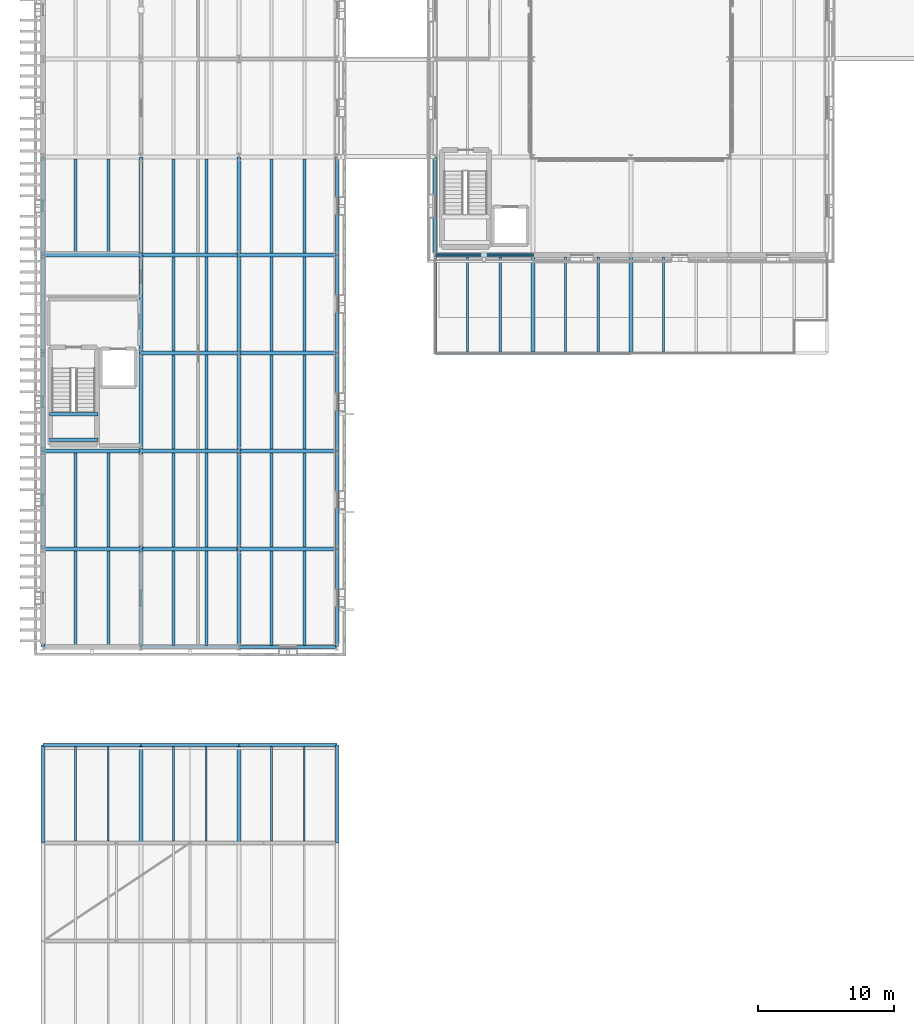
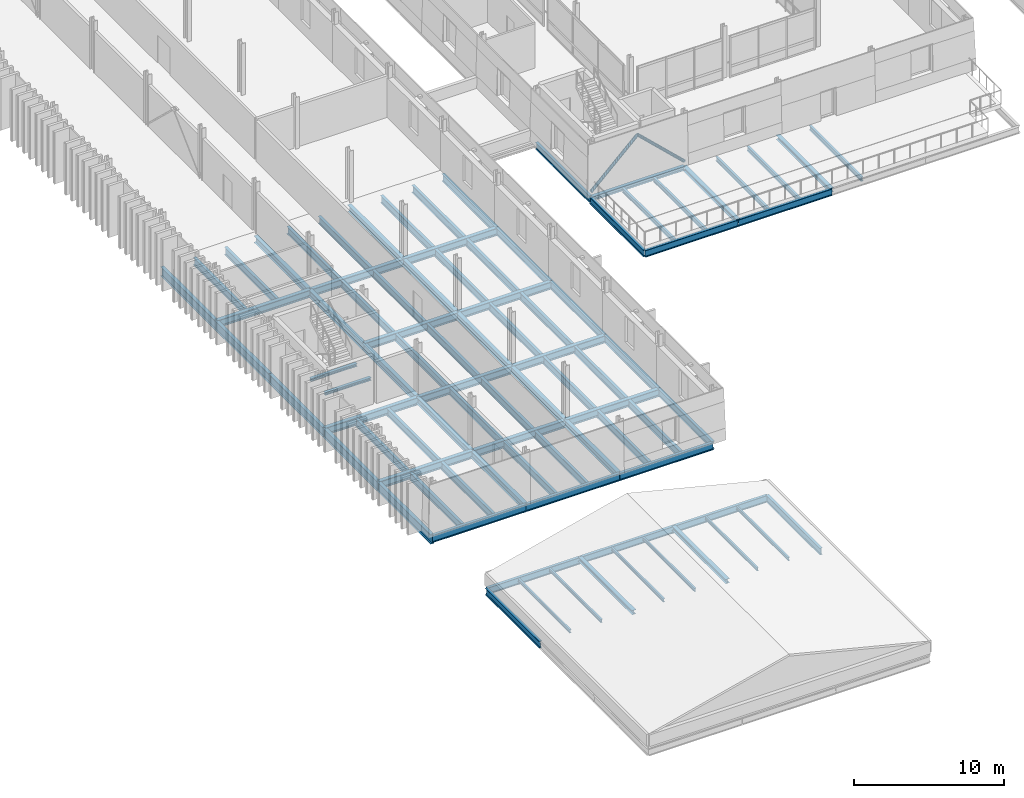
# One storey, part 14 of 91: 87 beams, 2 members.
"""IFC4 building model written with IfcOpenShell, lengths in metres."""

import ifcopenshell
import ifcopenshell.guid

model = None  # the IFC model being written
_history = None  # IfcOwnerHistory: only IFC2X3 demands one
_inside = {}  # id of a spatial element -> (the spatial element, [elements in it])
_under = {}  # id of a project, library or spatial element -> (it, [spatial elements below it])
_declared = {}  # id of a project -> (the project, [libraries it declares])
_typed = {}  # id of a type object -> (the type object, [elements of that type])
_made_of = {}  # id of a material, layer set ... -> (it, [elements and type objects made of it])


def new_model(schema):
    """Start an empty IFC model of exactly this schema.

    Asked for "IFC4X3", IfcOpenShell would pick the latest addendum, in which some entities
    have other attributes; the version numbers below select the first issue.
    IFC2X3 requires an IfcOwnerHistory on every rooted entity: one is made here for all.
    """
    global model, _history
    if schema == "IFC4X3":
        model = ifcopenshell.file(schema_version=(4, 3, 0, 0))
    else:
        model = ifcopenshell.file(schema=schema)
    _inside.clear()
    _under.clear()
    _declared.clear()
    _typed.clear()
    _made_of.clear()
    _history = None
    if model.schema == "IFC2X3":
        org = make("IfcOrganization", Name="unknown")
        user = make(
            "IfcPersonAndOrganization",
            ThePerson=make("IfcPerson", FamilyName="unknown"),
            TheOrganization=org,
        )
        app = make(
            "IfcApplication",
            ApplicationDeveloper=org,
            Version="unknown",
            ApplicationFullName="unknown",
            ApplicationIdentifier="unknown",
        )
        _history = make(
            "IfcOwnerHistory",
            OwningUser=user,
            OwningApplication=app,
            ChangeAction="ADDED",
            CreationDate=0,
        )
    return model


def make(cls, **values):
    """One entity of the class cls with the attributes given. An attribute that is None is left unset."""
    return model.create_entity(
        cls, **{name: value for name, value in values.items() if value is not None}
    )


def rooted(cls, **values):
    """An entity with a GlobalId (a new one), such as an element, a storey or a relation."""
    return make(cls, GlobalId=ifcopenshell.guid.new(), OwnerHistory=_history, **values)


def si_unit(unit_type, name, prefix=None):
    """IfcSIUnit, for example si_unit("LENGTHUNIT", "METRE", prefix="MILLI")."""
    return make("IfcSIUnit", UnitType=unit_type, Prefix=prefix, Name=name)


def assignment(units):
    """IfcUnitAssignment: the units of a project."""
    return None if units is None else make("IfcUnitAssignment", Units=units)


def point(xyz):
    """IfcCartesianPoint."""
    return None if xyz is None else make("IfcCartesianPoint", Coordinates=xyz)


def direction(xyz):
    """IfcDirection."""
    return None if xyz is None else make("IfcDirection", DirectionRatios=xyz)


def frame(location, z_axis=None, x_axis=None):
    """IfcAxis2Placement3D, a coordinate frame: its origin and axes. An axis left out is left unset."""
    return make(
        "IfcAxis2Placement3D",
        Location=point(location),
        Axis=direction(z_axis),
        RefDirection=direction(x_axis),
    )


def frame_2d(location, x_axis=None):
    """IfcAxis2Placement2D, a coordinate frame in the plane: its origin and x axis."""
    return make(
        "IfcAxis2Placement2D", Location=point(location), RefDirection=direction(x_axis)
    )


def origin():
    """The frame at (0, 0, 0) with its axes left unset."""
    return frame((0.0, 0.0, 0.0))


def origin_2d():
    """The frame at (0, 0) in the plane with its x axis left unset."""
    return frame_2d((0.0, 0.0))


def place(relative_to, where):
    """IfcLocalPlacement: puts the frame where relative to a parent placement (None: the world)."""
    return make(
        "IfcLocalPlacement", PlacementRelTo=relative_to, RelativePlacement=where
    )


def context(
    kind, dimensions, precision=None, world=None, true_north=None, identifier=None
):
    """IfcGeometricRepresentationContext, for example the 3D "Model" context."""
    return make(
        "IfcGeometricRepresentationContext",
        ContextIdentifier=identifier,
        ContextType=kind,
        CoordinateSpaceDimension=dimensions,
        Precision=precision,
        WorldCoordinateSystem=world,
        TrueNorth=true_north,
    )


def subcontext(parent, identifier, kind, view, scale=None):
    """IfcGeometricRepresentationSubContext, for example "Body" below "Model"."""
    return make(
        "IfcGeometricRepresentationSubContext",
        ContextIdentifier=identifier,
        ContextType=kind,
        ParentContext=parent,
        TargetScale=scale,
        TargetView=view,
    )


def project(units=None, contexts=None):
    """IfcProject with its units and contexts."""
    return rooted(
        "IfcProject",
        Name="project",
        RepresentationContexts=contexts,
        UnitsInContext=assignment(units),
    )


def spatial(cls, under=None, at=None, **own):
    """A site, building, storey or space (cls), placed at a placement, below another one or the project."""
    s = rooted(cls, ObjectPlacement=at, **own)
    if under is not None:
        _under.setdefault(under.id(), (under, []))[1].append(s)
    return s


def profile(cls, at=None, kind="AREA", **sizes):
    """A parametric profile (cls). Its sizes go by their IFC names, for example OverallWidth=200.0."""
    return make(cls, ProfileType=kind, Position=at, **sizes)


def hollow_circle(**sizes):
    """IfcCircleHollowProfileDef."""
    return profile("IfcCircleHollowProfileDef", **sizes)


def i_section(**sizes):
    """IfcIShapeProfileDef."""
    return profile("IfcIShapeProfileDef", **sizes)


def extrude(swept, where, along, depth):
    """IfcExtrudedAreaSolid: the profile swept, set in the frame where, extruded along a direction by depth."""
    return make(
        "IfcExtrudedAreaSolid",
        SweptArea=swept,
        Position=where,
        ExtrudedDirection=direction(along),
        Depth=depth,
    )


def shape(context_of_items, identifier, shape_type, items):
    """IfcShapeRepresentation: the items that make up one representation, for example the "Body"."""
    return make(
        "IfcShapeRepresentation",
        ContextOfItems=context_of_items,
        RepresentationIdentifier=identifier,
        RepresentationType=shape_type,
        Items=items,
    )


def material(Name=None, Category=None):
    """IfcMaterial."""
    return make("IfcMaterial", Name=Name, Category=Category)


def material_profile(
    of_material, cross_section, Name=None, Category=None, Priority=None
):
    """IfcMaterialProfile: a cross section and its material."""
    return make(
        "IfcMaterialProfile",
        Name=Name,
        Material=of_material,
        Profile=cross_section,
        Priority=Priority,
        Category=Category,
    )


def profile_set(profiles, Name=None, composite=None):
    """IfcMaterialProfileSet."""
    return make(
        "IfcMaterialProfileSet",
        Name=Name,
        MaterialProfiles=profiles,
        CompositeProfile=composite,
    )


def made_of(thing, what):
    """Note that an element or type object is made of a material, layer set ...; save() writes the relation."""
    if what is not None:
        _made_of.setdefault(what.id(), (what, []))[1].append(thing)
    return thing


def type_object(cls, material=None, **own):
    """A type object (cls), such as IfcWallType, which elements share."""
    return made_of(rooted(cls, **own), material)


def element(
    cls,
    number,
    at=None,
    inside=None,
    cuts=None,
    type_object=None,
    material=None,
    context=None,
    identifier="Body",
    shape_type=None,
    held_by="IfcProductDefinitionShape",
    body=None,
    shapes=None,
    **own,
):
    """One element of the class cls, such as IfcWall. Its Tag is "e" and its number.

    at: its placement. inside: the storey or other place that contains it. cuts: it is an
    opening in that element (IfcRelVoidsElement). A single representation is given by context,
    identifier, shape_type and body (its items); several are given by shapes. held_by: the class
    of the entity that holds the representations. save() writes the other relations.
    """
    e = rooted(cls, Tag="e%d" % number, ObjectPlacement=at, **own)
    if body is not None:
        shapes = [shape(context, identifier, shape_type, body)]
    if shapes is not None:
        e.Representation = make(held_by, Representations=shapes)
    if inside is not None:
        _inside.setdefault(inside.id(), (inside, []))[1].append(e)
    if cuts is not None:
        rooted(
            "IfcRelVoidsElement", RelatingBuildingElement=cuts, RelatedOpeningElement=e
        )
    if type_object is not None:
        _typed.setdefault(type_object.id(), (type_object, []))[1].append(e)
    return made_of(e, material)


def aggregate(whole, parts):
    """IfcRelAggregates: a whole, such as a stair, and the parts it consists of."""
    return rooted("IfcRelAggregates", RelatingObject=whole, RelatedObjects=parts)


def save(model, path):
    """Write the relations noted so far, then the file.

    IfcRelAggregates (storeys below a building ...), IfcRelContainedInSpatialStructure (elements
    in a storey), IfcRelDefinesByType, IfcRelAssociatesMaterial and IfcRelDeclares: one each for
    every whole, place, type object, material and project.
    """
    for whole, parts in _under.values():
        aggregate(whole, parts)
    for where, things in _inside.values():
        rooted(
            "IfcRelContainedInSpatialStructure",
            RelatedElements=things,
            RelatingStructure=where,
        )
    for kind, things in _typed.values():
        rooted("IfcRelDefinesByType", RelatedObjects=things, RelatingType=kind)
    for what, things in _made_of.values():
        rooted("IfcRelAssociatesMaterial", RelatedObjects=things, RelatingMaterial=what)
    for by, libraries in _declared.values():
        rooted("IfcRelDeclares", RelatingContext=by, RelatedDefinitions=libraries)
    model.write(path)


model = new_model("IFC4")

# Units and contexts
model_context = context("Model", 3, precision=1e-05, world=origin(), true_north=direction((0.0, 1.0)))
body_context = subcontext(model_context, "Body", "Model", "MODEL_VIEW")
ifc_project = project(units=[si_unit("LENGTHUNIT", "METRE"), si_unit("AREAUNIT", "SQUARE_METRE"), si_unit("VOLUMEUNIT", "CUBIC_METRE"), si_unit("PLANEANGLEUNIT", "RADIAN"), si_unit("MASSUNIT", "GRAM", prefix="KILO")], contexts=[model_context])

# Site, building, storey
site_placement = place(None, origin())
site = spatial("IfcSite", under=ifc_project, at=site_placement, CompositionType="ELEMENT")
building_placement = place(site_placement, origin())
building = spatial("IfcBuilding", under=site, at=building_placement, Name="Narikvali Park Central Library", CompositionType="ELEMENT")
storey_placement = place(building_placement, frame((0.0, 0.0, 14.39990234375)))
storey = spatial("IfcBuildingStorey", under=building, at=storey_placement, Name="L03", CompositionType="ELEMENT", Elevation=14.39990234375)

# Beams
ifc_material = material(Name="Steel S355", Category="steel")
ifc_material_profile_1 = material_profile(ifc_material, i_section(OverallWidth=0.219970703125, OverallDepth=0.60009765625, WebThickness=0.011962890625, FlangeThickness=0.01904296875, FilletRadius=0.02392578125, at=origin_2d()), Name="IPE 600")
ifc_profile_set_1 = profile_set([ifc_material_profile_1], Name="Steel S355")
beam_type_1 = type_object("IfcBeamType", Name="Compact Archive Joist IPE600", PredefinedType="JOIST", material=ifc_profile_set_1)
for number, where, z_axis, x_axis, name in (
    (1, (2.39990234375, 28.909912109375, -0.599853515625), (0.0, 1.0, 0.0), (-1.0, 0.0, 0.0), "V5 L03 Composite Joist 1"),
    (2, (4.800048828125, 28.909912109375, -0.599853515625), (0.0, 1.0, 0.0), (-1.0, 0.0, 0.0), "V5 L03 Composite Joist 2"),
):
    element("IfcBeam", number, at=place(storey_placement, frame(where, z_axis=z_axis, x_axis=x_axis)), inside=storey, type_object=beam_type_1, Name=name, PredefinedType="JOIST", context=body_context, shape_type="SweptSolid", body=[
        extrude(i_section(OverallWidth=0.219970703125, OverallDepth=0.60009765625, WebThickness=0.011962890625, FlangeThickness=0.01904296875, FilletRadius=0.02392578125, at=origin_2d()), origin(), (0.0, 0.0, 1.0), 6.940185546875),
    ])
for number, where, z_axis, x_axis, name in (
    (3, (2.39990234375, 36.14990234375, -0.599853515625), (0.0, 1.0, 0.0), (-1.0, 0.0, 0.0), "V5 L03 Composite Joist 1"),
    (4, (4.800048828125, 36.14990234375, -0.599853515625), (0.0, 1.0, 0.0), (-1.0, 0.0, 0.0), "V5 L03 Composite Joist 2"),
):
    element("IfcBeam", number, at=place(storey_placement, frame(where, z_axis=z_axis, x_axis=x_axis)), inside=storey, type_object=beam_type_1, Name=name, PredefinedType="JOIST", context=body_context, shape_type="SweptSolid", body=[
        extrude(i_section(OverallWidth=0.219970703125, OverallDepth=0.60009765625, WebThickness=0.011962890625, FlangeThickness=0.01904296875, FilletRadius=0.02392578125, at=origin_2d()), origin(), (0.0, 0.0, 1.0), 6.900146484375),
    ])
for number, where, z_axis, x_axis, name in (
    (5, (2.39990234375, 57.75, -0.599853515625), (0.0, 1.0, 0.0), (-1.0, 0.0, 0.0), "V5 L03 Composite Joist 1"),
    (6, (4.800048828125, 57.75, -0.599853515625), (0.0, 1.0, 0.0), (-1.0, 0.0, 0.0), "V5 L03 Composite Joist 2"),
):
    element("IfcBeam", number, at=place(storey_placement, frame(where, z_axis=z_axis, x_axis=x_axis)), inside=storey, type_object=beam_type_1, Name=name, PredefinedType="JOIST", context=body_context, shape_type="SweptSolid", body=[
        extrude(i_section(OverallWidth=0.219970703125, OverallDepth=0.60009765625, WebThickness=0.011962890625, FlangeThickness=0.01904296875, FilletRadius=0.02392578125, at=origin_2d()), origin(), (0.0, 0.0, 1.0), 6.89990234375),
    ])
for number, where, z_axis, x_axis, name in (
    (7, (9.60009765625, 28.909912109375, -0.599853515625), (0.0, 1.0, 0.0), (-1.0, 0.0, 0.0), "V5 L03 Composite Joist 1"),
    (8, (12.0, 28.909912109375, -0.599853515625), (0.0, 1.0, 0.0), (-1.0, 0.0, 0.0), "V5 L03 Composite Joist 2"),
):
    element("IfcBeam", number, at=place(storey_placement, frame(where, z_axis=z_axis, x_axis=x_axis)), inside=storey, type_object=beam_type_1, Name=name, PredefinedType="JOIST", context=body_context, shape_type="SweptSolid", body=[
        extrude(i_section(OverallWidth=0.219970703125, OverallDepth=0.60009765625, WebThickness=0.011962890625, FlangeThickness=0.01904296875, FilletRadius=0.02392578125, at=origin_2d()), origin(), (0.0, 0.0, 1.0), 6.940185546875),
    ])
for number, where, z_axis, x_axis, name in (
    (9, (9.60009765625, 36.14990234375, -0.599853515625), (0.0, 1.0, 0.0), (-1.0, 0.0, 0.0), "V5 L03 Composite Joist 1"),
    (10, (12.0, 36.14990234375, -0.599853515625), (0.0, 1.0, 0.0), (-1.0, 0.0, 0.0), "V5 L03 Composite Joist 2"),
):
    element("IfcBeam", number, at=place(storey_placement, frame(where, z_axis=z_axis, x_axis=x_axis)), inside=storey, type_object=beam_type_1, Name=name, PredefinedType="JOIST", context=body_context, shape_type="SweptSolid", body=[
        extrude(i_section(OverallWidth=0.219970703125, OverallDepth=0.60009765625, WebThickness=0.011962890625, FlangeThickness=0.01904296875, FilletRadius=0.02392578125, at=origin_2d()), origin(), (0.0, 0.0, 1.0), 6.900146484375),
    ])
for number, where, z_axis, x_axis, name in (
    (11, (9.60009765625, 43.35009765625, -0.599853515625), (0.0, 1.0, 0.0), (-1.0, 0.0, 0.0), "V5 L03 Composite Joist 1"),
    (12, (12.0, 43.35009765625, -0.599853515625), (0.0, 1.0, 0.0), (-1.0, 0.0, 0.0), "V5 L03 Composite Joist 2"),
    (13, (9.60009765625, 50.550048828125, -0.599853515625), (0.0, 1.0, 0.0), (-1.0, 0.0, 0.0), "V5 L03 Composite Joist 1"),
    (14, (12.0, 50.550048828125, -0.599853515625), (0.0, 1.0, 0.0), (-1.0, 0.0, 0.0), "V5 L03 Composite Joist 2"),
    (15, (9.60009765625, 57.75, -0.599853515625), (0.0, 1.0, 0.0), (-1.0, 0.0, 0.0), "V5 L03 Composite Joist 1"),
    (16, (12.0, 57.75, -0.599853515625), (0.0, 1.0, 0.0), (-1.0, 0.0, 0.0), "V5 L03 Composite Joist 2"),
):
    element("IfcBeam", number, at=place(storey_placement, frame(where, z_axis=z_axis, x_axis=x_axis)), inside=storey, type_object=beam_type_1, Name=name, PredefinedType="JOIST", context=body_context, shape_type="SweptSolid", body=[
        extrude(i_section(OverallWidth=0.219970703125, OverallDepth=0.60009765625, WebThickness=0.011962890625, FlangeThickness=0.01904296875, FilletRadius=0.02392578125, at=origin_2d()), origin(), (0.0, 0.0, 1.0), 6.89990234375),
    ])
for number, where, z_axis, x_axis, name in (
    (17, (16.800048828125, 28.909912109375, -0.599853515625), (0.0, 1.0, 0.0), (-1.0, 0.0, 0.0), "V5 L03 Composite Joist 1"),
    (18, (19.199951171875, 28.909912109375, -0.599853515625), (0.0, 1.0, 0.0), (-1.0, 0.0, 0.0), "V5 L03 Composite Joist 2"),
):
    element("IfcBeam", number, at=place(storey_placement, frame(where, z_axis=z_axis, x_axis=x_axis)), inside=storey, type_object=beam_type_1, Name=name, PredefinedType="JOIST", context=body_context, shape_type="SweptSolid", body=[
        extrude(i_section(OverallWidth=0.219970703125, OverallDepth=0.60009765625, WebThickness=0.011962890625, FlangeThickness=0.01904296875, FilletRadius=0.02392578125, at=origin_2d()), origin(), (0.0, 0.0, 1.0), 6.940185546875),
    ])
for number, where, z_axis, x_axis, name in (
    (19, (16.800048828125, 36.14990234375, -0.599853515625), (0.0, 1.0, 0.0), (-1.0, 0.0, 0.0), "V5 L03 Composite Joist 1"),
    (20, (19.199951171875, 36.14990234375, -0.599853515625), (0.0, 1.0, 0.0), (-1.0, 0.0, 0.0), "V5 L03 Composite Joist 2"),
):
    element("IfcBeam", number, at=place(storey_placement, frame(where, z_axis=z_axis, x_axis=x_axis)), inside=storey, type_object=beam_type_1, Name=name, PredefinedType="JOIST", context=body_context, shape_type="SweptSolid", body=[
        extrude(i_section(OverallWidth=0.219970703125, OverallDepth=0.60009765625, WebThickness=0.011962890625, FlangeThickness=0.01904296875, FilletRadius=0.02392578125, at=origin_2d()), origin(), (0.0, 0.0, 1.0), 6.900146484375),
    ])
for number, where, z_axis, x_axis, name in (
    (21, (16.800048828125, 43.35009765625, -0.599853515625), (0.0, 1.0, 0.0), (-1.0, 0.0, 0.0), "V5 L03 Composite Joist 1"),
    (22, (19.199951171875, 43.35009765625, -0.599853515625), (0.0, 1.0, 0.0), (-1.0, 0.0, 0.0), "V5 L03 Composite Joist 2"),
    (23, (16.800048828125, 50.550048828125, -0.599853515625), (0.0, 1.0, 0.0), (-1.0, 0.0, 0.0), "V5 L03 Composite Joist 1"),
    (24, (19.199951171875, 50.550048828125, -0.599853515625), (0.0, 1.0, 0.0), (-1.0, 0.0, 0.0), "V5 L03 Composite Joist 2"),
    (25, (16.800048828125, 57.75, -0.599853515625), (0.0, 1.0, 0.0), (-1.0, 0.0, 0.0), "V5 L03 Composite Joist 1"),
    (26, (19.199951171875, 57.75, -0.599853515625), (0.0, 1.0, 0.0), (-1.0, 0.0, 0.0), "V5 L03 Composite Joist 2"),
):
    element("IfcBeam", number, at=place(storey_placement, frame(where, z_axis=z_axis, x_axis=x_axis)), inside=storey, type_object=beam_type_1, Name=name, PredefinedType="JOIST", context=body_context, shape_type="SweptSolid", body=[
        extrude(i_section(OverallWidth=0.219970703125, OverallDepth=0.60009765625, WebThickness=0.011962890625, FlangeThickness=0.01904296875, FilletRadius=0.02392578125, at=origin_2d()), origin(), (0.0, 0.0, 1.0), 6.89990234375),
    ])
ifc_material_profile_2 = material_profile(ifc_material, i_section(OverallWidth=0.135009765625, OverallDepth=0.27001953125, WebThickness=0.006591796875, FlangeThickness=0.01025390625, FilletRadius=0.014892578125, at=origin_2d()), Name="IPE 270")
ifc_profile_set_2 = profile_set([ifc_material_profile_2], Name="Steel S355")
beam_type_2 = type_object("IfcBeamType", Name="Composite Floor Joist IPE270", PredefinedType="JOIST", material=ifc_profile_set_2)
for number, where, z_axis, x_axis, name in (
    (27, (2.39990234375, 14.550048828125, -0.375), (0.0, 1.0, 0.0), (-1.0, 0.0, 0.0), "V2 L03 Composite Joist 1"),
    (28, (4.800048828125, 14.550048828125, -0.375), (0.0, 1.0, 0.0), (-1.0, 0.0, 0.0), "V2 L03 Composite Joist 2"),
    (29, (9.60009765625, 14.550048828125, -0.375), (0.0, 1.0, 0.0), (-1.0, 0.0, 0.0), "V2 L03 Composite Joist 1"),
    (30, (12.0, 14.550048828125, -0.375), (0.0, 1.0, 0.0), (-1.0, 0.0, 0.0), "V2 L03 Composite Joist 2"),
    (31, (16.800048828125, 14.550048828125, -0.375), (0.0, 1.0, 0.0), (-1.0, 0.0, 0.0), "V2 L03 Composite Joist 1"),
    (32, (19.199951171875, 14.550048828125, -0.375), (0.0, 1.0, 0.0), (-1.0, 0.0, 0.0), "V2 L03 Composite Joist 2"),
):
    element("IfcBeam", number, at=place(storey_placement, frame(where, z_axis=z_axis, x_axis=x_axis)), inside=storey, type_object=beam_type_2, Name=name, PredefinedType="JOIST", context=body_context, shape_type="SweptSolid", body=[
        extrude(i_section(OverallWidth=0.135009765625, OverallDepth=0.27001953125, WebThickness=0.006591796875, FlangeThickness=0.01025390625, FilletRadius=0.014892578125, at=origin_2d()), origin(), (0.0, 0.0, 1.0), 6.945068359375),
    ])
ifc_material_profile_3 = material_profile(ifc_material, i_section(OverallWidth=0.264892578125, OverallDepth=0.7529296875, WebThickness=0.01318359375, FlangeThickness=0.01708984375, FilletRadius=0.01708984375, at=origin_2d()), Name="IPE 750x147")
ifc_profile_set_3 = profile_set([ifc_material_profile_3], Name="Steel S355")
beam_type_3 = type_object("IfcBeamType", Name="Fin Facade Spandrel IPE750", PredefinedType="SPANDREL", material=ifc_profile_set_3)
for number, where, z_axis, x_axis, name in (
    (33, (0.0, 28.80810546875, -0.676513671875), (0.0, 1.0, 0.0), (-1.0, 0.0, 0.0), "V5 L03 Girder Y"),
    (34, (0.0, 36.008056640625, -0.676513671875), (0.0, 1.0, 0.0), (-1.0, 0.0, 0.0), "V5 L03 Girder Y"),
):
    element("IfcBeam", number, at=place(storey_placement, frame(where, z_axis=z_axis, x_axis=x_axis)), inside=storey, type_object=beam_type_3, Name=name, PredefinedType="SPANDREL", context=body_context, shape_type="SweptSolid", body=[
        extrude(i_section(OverallWidth=0.264892578125, OverallDepth=0.7529296875, WebThickness=0.01318359375, FlangeThickness=0.01708984375, FilletRadius=0.01708984375, at=origin_2d()), origin(), (0.0, 0.0, 1.0), 7.183837890625),
    ])
for number, where, z_axis, x_axis, name in (
    (35, (0.0, 43.2080078125, -0.676513671875), (0.0, 1.0, 0.0), (-1.0, 0.0, 0.0), "V5 L03 Girder Y"),
    (36, (0.0, 50.407958984375, -0.676513671875), (0.0, 1.0, 0.0), (-1.0, 0.0, 0.0), "V5 L03 Girder Y"),
    (37, (0.0, 57.60791015625, -0.676513671875), (0.0, 1.0, 0.0), (-1.0, 0.0, 0.0), "V5 L03 Girder Y"),
):
    element("IfcBeam", number, at=place(storey_placement, frame(where, z_axis=z_axis, x_axis=x_axis)), inside=storey, type_object=beam_type_3, Name=name, PredefinedType="SPANDREL", context=body_context, shape_type="SweptSolid", body=[
        extrude(i_section(OverallWidth=0.264892578125, OverallDepth=0.7529296875, WebThickness=0.01318359375, FlangeThickness=0.01708984375, FilletRadius=0.01708984375, at=origin_2d()), origin(), (0.0, 0.0, 1.0), 7.18408203125),
    ])
ifc_material_profile_4 = material_profile(ifc_material, i_section(OverallWidth=0.2099609375, OverallDepth=0.550048828125, WebThickness=0.010986328125, FlangeThickness=0.01708984375, FilletRadius=0.02392578125, at=origin_2d()), Name="IPE 550")
ifc_profile_set_4 = profile_set([ifc_material_profile_4], Name="Steel S355")
beam_type_4 = type_object("IfcBeamType", Name="Perimeter Spandrel IPE550", PredefinedType="SPANDREL", material=ifc_profile_set_4)
beam_1_placement = place(storey_placement, frame((0.008056640625, 21.60009765625, -0.514892578125), z_axis=(1.0, 0.0, 0.0), x_axis=(0.0, 1.0, 0.0)))
element("IfcBeam", 38, at=beam_1_placement, inside=storey, type_object=beam_type_4, Name="V2 L03 Girder X", PredefinedType="SPANDREL", context=body_context, shape_type="SweptSolid", body=[
    extrude(i_section(OverallWidth=0.2099609375, OverallDepth=0.550048828125, WebThickness=0.010986328125, FlangeThickness=0.01708984375, FilletRadius=0.02392578125, at=origin_2d()), origin(), (0.0, 0.0, 1.0), 7.183837890625),
])
for number, where, z_axis, x_axis, name in (
    (39, (7.2080078125, 21.60009765625, -0.514892578125), (1.0, 0.0, 0.0), (0.0, 1.0, 0.0), "V2 L03 Girder X"),
    (40, (14.407958984375, 21.60009765625, -0.514892578125), (1.0, 0.0, 0.0), (0.0, 1.0, 0.0), "V2 L03 Girder X"),
    (41, (0.0, 14.407958984375, -0.514892578125), (0.0, 1.0, 0.0), (-1.0, 0.0, 0.0), "V2 L03 Girder Y"),
    (42, (21.60009765625, 14.407958984375, -0.514892578125), (0.0, 1.0, 0.0), (-1.0, 0.0, 0.0), "V2 L03 Girder Y"),
):
    element("IfcBeam", number, at=place(storey_placement, frame(where, z_axis=z_axis, x_axis=x_axis)), inside=storey, type_object=beam_type_4, Name=name, PredefinedType="SPANDREL", context=body_context, shape_type="SweptSolid", body=[
        extrude(i_section(OverallWidth=0.2099609375, OverallDepth=0.550048828125, WebThickness=0.010986328125, FlangeThickness=0.01708984375, FilletRadius=0.02392578125, at=origin_2d()), origin(), (0.0, 0.0, 1.0), 7.18408203125),
    ])
for number, where, z_axis, x_axis, name in (
    (43, (28.80810546875, 50.39990234375, -0.614990234375), (1.0, 0.0, 0.0), (0.0, 1.0, 0.0), "V4 L03 Girder X"),
    (44, (36.008056640625, 50.39990234375, -0.614990234375), (1.0, 0.0, 0.0), (0.0, 1.0, 0.0), "V4 L03 Girder X"),
):
    element("IfcBeam", number, at=place(storey_placement, frame(where, z_axis=z_axis, x_axis=x_axis)), inside=storey, type_object=beam_type_4, Name=name, PredefinedType="SPANDREL", context=body_context, shape_type="SweptSolid", body=[
        extrude(i_section(OverallWidth=0.2099609375, OverallDepth=0.550048828125, WebThickness=0.010986328125, FlangeThickness=0.01708984375, FilletRadius=0.02392578125, at=origin_2d()), origin(), (0.0, 0.0, 1.0), 7.183837890625),
    ])
for number, where, z_axis, x_axis, name in (
    (45, (28.800048828125, 50.407958984375, -0.614990234375), (0.0, 1.0, 0.0), (-1.0, 0.0, 0.0), "V4 L03 Girder Y"),
    (46, (28.800048828125, 57.60791015625, -0.554931640625), (0.0, 1.0, 0.0), (-1.0, 0.0, 0.0), "V4 L03 Girder Y"),
):
    element("IfcBeam", number, at=place(storey_placement, frame(where, z_axis=z_axis, x_axis=x_axis)), inside=storey, type_object=beam_type_4, Name=name, PredefinedType="SPANDREL", context=body_context, shape_type="SweptSolid", body=[
        extrude(i_section(OverallWidth=0.2099609375, OverallDepth=0.550048828125, WebThickness=0.010986328125, FlangeThickness=0.01708984375, FilletRadius=0.02392578125, at=origin_2d()), origin(), (0.0, 0.0, 1.0), 7.18408203125),
    ])
ifc_material_profile_5 = material_profile(ifc_material, i_section(OverallWidth=0.219970703125, OverallDepth=0.60009765625, WebThickness=0.011962890625, FlangeThickness=0.01904296875, FilletRadius=0.02392578125, at=origin_2d()), Name="IPE 600")
ifc_profile_set_5 = profile_set([ifc_material_profile_5], Name="Steel S355")
beam_type_5 = type_object("IfcBeamType", Name="Perimeter Spandrel IPE600", PredefinedType="SPANDREL", material=ifc_profile_set_5)
beam_2_placement = place(storey_placement, frame((0.008056640625, 28.800048828125, -0.599853515625), z_axis=(1.0, 0.0, 0.0), x_axis=(0.0, 1.0, 0.0)))
element("IfcBeam", 47, at=beam_2_placement, inside=storey, type_object=beam_type_5, Name="V5 L03 Girder X", PredefinedType="SPANDREL", context=body_context, shape_type="SweptSolid", body=[
    extrude(i_section(OverallWidth=0.219970703125, OverallDepth=0.60009765625, WebThickness=0.011962890625, FlangeThickness=0.01904296875, FilletRadius=0.02392578125, at=origin_2d()), origin(), (0.0, 0.0, 1.0), 7.183837890625),
])
for number, where, z_axis, x_axis, name in (
    (48, (7.2080078125, 28.800048828125, -0.599853515625), (1.0, 0.0, 0.0), (0.0, 1.0, 0.0), "V5 L03 Girder X"),
    (49, (14.407958984375, 28.800048828125, -0.599853515625), (1.0, 0.0, 0.0), (0.0, 1.0, 0.0), "V5 L03 Girder X"),
):
    element("IfcBeam", number, at=place(storey_placement, frame(where, z_axis=z_axis, x_axis=x_axis)), inside=storey, type_object=beam_type_5, Name=name, PredefinedType="SPANDREL", context=body_context, shape_type="SweptSolid", body=[
        extrude(i_section(OverallWidth=0.219970703125, OverallDepth=0.60009765625, WebThickness=0.011962890625, FlangeThickness=0.01904296875, FilletRadius=0.02392578125, at=origin_2d()), origin(), (0.0, 0.0, 1.0), 7.18408203125),
    ])
for number, where, z_axis, x_axis, name in (
    (50, (21.60009765625, 28.80810546875, -0.599853515625), (0.0, 1.0, 0.0), (-1.0, 0.0, 0.0), "V5 L03 Girder Y"),
    (51, (21.60009765625, 36.008056640625, -0.599853515625), (0.0, 1.0, 0.0), (-1.0, 0.0, 0.0), "V5 L03 Girder Y"),
):
    element("IfcBeam", number, at=place(storey_placement, frame(where, z_axis=z_axis, x_axis=x_axis)), inside=storey, type_object=beam_type_5, Name=name, PredefinedType="SPANDREL", context=body_context, shape_type="SweptSolid", body=[
        extrude(i_section(OverallWidth=0.219970703125, OverallDepth=0.60009765625, WebThickness=0.011962890625, FlangeThickness=0.01904296875, FilletRadius=0.02392578125, at=origin_2d()), origin(), (0.0, 0.0, 1.0), 7.183837890625),
    ])
for number, where, z_axis, x_axis, name in (
    (52, (21.60009765625, 43.2080078125, -0.599853515625), (0.0, 1.0, 0.0), (-1.0, 0.0, 0.0), "V5 L03 Girder Y"),
    (53, (21.60009765625, 50.407958984375, -0.599853515625), (0.0, 1.0, 0.0), (-1.0, 0.0, 0.0), "V5 L03 Girder Y"),
    (54, (21.60009765625, 57.60791015625, -0.599853515625), (0.0, 1.0, 0.0), (-1.0, 0.0, 0.0), "V5 L03 Girder Y"),
):
    element("IfcBeam", number, at=place(storey_placement, frame(where, z_axis=z_axis, x_axis=x_axis)), inside=storey, type_object=beam_type_5, Name=name, PredefinedType="SPANDREL", context=body_context, shape_type="SweptSolid", body=[
        extrude(i_section(OverallWidth=0.219970703125, OverallDepth=0.60009765625, WebThickness=0.011962890625, FlangeThickness=0.01904296875, FilletRadius=0.02392578125, at=origin_2d()), origin(), (0.0, 0.0, 1.0), 7.18408203125),
    ])
ifc_material_profile_6 = material_profile(ifc_material, i_section(OverallWidth=0.239990234375, OverallDepth=0.22998046875, WebThickness=0.007568359375, FlangeThickness=0.011962890625, FilletRadius=0.02099609375, at=origin_2d()), Name="HEA 240")
ifc_profile_set_6 = profile_set([ifc_material_profile_6], Name="Steel S355")
beam_type_6 = type_object("IfcBeamType", Name="Primary Girder HEA240", PredefinedType="BEAM", material=ifc_profile_set_6)
for number, where, z_axis, x_axis, name in (
    (55, (0.469970703125, 44.02001953125, 1.78515625), (1.0, 0.0, 0.0), (0.0, 1.0, 0.0), "ST-09 L03 Landing Trimmer Beam 1-1"),
    (56, (0.469970703125, 45.89501953125, 1.78515625), (1.0, 0.0, 0.0), (0.0, 1.0, 0.0), "ST-09 L03 Landing Trimmer Beam 1-2"),
):
    element("IfcBeam", number, at=place(storey_placement, frame(where, z_axis=z_axis, x_axis=x_axis)), inside=storey, type_object=beam_type_6, Name=name, PredefinedType="BEAM", context=body_context, shape_type="SweptSolid", body=[
        extrude(i_section(OverallWidth=0.239990234375, OverallDepth=0.22998046875, WebThickness=0.007568359375, FlangeThickness=0.011962890625, FilletRadius=0.02099609375, at=origin_2d()), origin(), (0.0, 0.0, 1.0), 3.56005859375),
    ])
ifc_material_profile_7 = material_profile(ifc_material, i_section(OverallWidth=0.300048828125, OverallDepth=0.31005859375, WebThickness=0.009033203125, FlangeThickness=0.015380859375, FilletRadius=0.027099609375, at=origin_2d()), Name="HEA 320")
ifc_profile_set_7 = profile_set([ifc_material_profile_7], Name="Steel S355")
beam_type_7 = type_object("IfcBeamType", Name="Primary Girder HEA320", PredefinedType="BEAM", material=ifc_profile_set_7)
beam_3_placement = place(storey_placement, frame((28.80810546875, 57.60009765625, -0.494873046875), z_axis=(1.0, 0.0, 0.0), x_axis=(0.0, 1.0, 0.0)))
element("IfcBeam", 57, at=beam_3_placement, inside=storey, type_object=beam_type_7, Name="V4 L03 Girder X", PredefinedType="BEAM", context=body_context, shape_type="SweptSolid", body=[
    extrude(i_section(OverallWidth=0.300048828125, OverallDepth=0.31005859375, WebThickness=0.009033203125, FlangeThickness=0.015380859375, FilletRadius=0.027099609375, at=origin_2d()), origin(), (0.0, 0.0, 1.0), 7.183837890625),
])
ifc_material_profile_8 = material_profile(ifc_material, i_section(OverallWidth=0.300048828125, OverallDepth=0.35009765625, WebThickness=0.010009765625, FlangeThickness=0.017578125, FilletRadius=0.027099609375, at=origin_2d()), Name="HEA 360")
ifc_profile_set_8 = profile_set([ifc_material_profile_8], Name="Steel S355")
beam_type_8 = type_object("IfcBeamType", Name="Primary Girder HEA360", PredefinedType="BEAM", material=ifc_profile_set_8)
for number, where, z_axis, x_axis, name in (
    (58, (7.199951171875, 14.407958984375, -0.414794921875), (0.0, 1.0, 0.0), (-1.0, 0.0, 0.0), "V2 L03 Girder Y"),
    (59, (14.39990234375, 14.407958984375, -0.414794921875), (0.0, 1.0, 0.0), (-1.0, 0.0, 0.0), "V2 L03 Girder Y"),
    (60, (36.0, 50.407958984375, -0.514892578125), (0.0, 1.0, 0.0), (-1.0, 0.0, 0.0), "V4 L03 Girder Y"),
    (61, (43.199951171875, 50.407958984375, -0.514892578125), (0.0, 1.0, 0.0), (-1.0, 0.0, 0.0), "V4 L03 Girder Y"),
):
    element("IfcBeam", number, at=place(storey_placement, frame(where, z_axis=z_axis, x_axis=x_axis)), inside=storey, type_object=beam_type_8, Name=name, PredefinedType="BEAM", context=body_context, shape_type="SweptSolid", body=[
        extrude(i_section(OverallWidth=0.300048828125, OverallDepth=0.35009765625, WebThickness=0.010009765625, FlangeThickness=0.017578125, FilletRadius=0.027099609375, at=origin_2d()), origin(), (0.0, 0.0, 1.0), 7.18408203125),
    ])
ifc_material_profile_9 = material_profile(ifc_material, i_section(OverallWidth=0.300048828125, OverallDepth=0.5400390625, WebThickness=0.012451171875, FlangeThickness=0.02392578125, FilletRadius=0.027099609375, at=origin_2d()), Name="HEA 550")
ifc_profile_set_9 = profile_set([ifc_material_profile_9], Name="Steel S355")
beam_type_9 = type_object("IfcBeamType", Name="Primary Girder HEA550", PredefinedType="BEAM", material=ifc_profile_set_9)
for number, where, z_axis, x_axis, name in (
    (62, (7.199951171875, 28.80810546875, -0.56982421875), (0.0, 1.0, 0.0), (-1.0, 0.0, 0.0), "V5 L03 Girder Y"),
    (63, (7.199951171875, 36.008056640625, -0.56982421875), (0.0, 1.0, 0.0), (-1.0, 0.0, 0.0), "V5 L03 Girder Y"),
):
    element("IfcBeam", number, at=place(storey_placement, frame(where, z_axis=z_axis, x_axis=x_axis)), inside=storey, type_object=beam_type_9, Name=name, PredefinedType="BEAM", context=body_context, shape_type="SweptSolid", body=[
        extrude(i_section(OverallWidth=0.300048828125, OverallDepth=0.5400390625, WebThickness=0.012451171875, FlangeThickness=0.02392578125, FilletRadius=0.027099609375, at=origin_2d()), origin(), (0.0, 0.0, 1.0), 7.183837890625),
    ])
for number, where, z_axis, x_axis, name in (
    (64, (7.199951171875, 43.2080078125, -0.56982421875), (0.0, 1.0, 0.0), (-1.0, 0.0, 0.0), "V5 L03 Girder Y"),
    (65, (7.199951171875, 50.407958984375, -0.56982421875), (0.0, 1.0, 0.0), (-1.0, 0.0, 0.0), "V5 L03 Girder Y"),
    (66, (7.199951171875, 57.60791015625, -0.56982421875), (0.0, 1.0, 0.0), (-1.0, 0.0, 0.0), "V5 L03 Girder Y"),
):
    element("IfcBeam", number, at=place(storey_placement, frame(where, z_axis=z_axis, x_axis=x_axis)), inside=storey, type_object=beam_type_9, Name=name, PredefinedType="BEAM", context=body_context, shape_type="SweptSolid", body=[
        extrude(i_section(OverallWidth=0.300048828125, OverallDepth=0.5400390625, WebThickness=0.012451171875, FlangeThickness=0.02392578125, FilletRadius=0.027099609375, at=origin_2d()), origin(), (0.0, 0.0, 1.0), 7.18408203125),
    ])
for number, where, z_axis, x_axis, name in (
    (67, (14.39990234375, 28.80810546875, -0.56982421875), (0.0, 1.0, 0.0), (-1.0, 0.0, 0.0), "V5 L03 Girder Y"),
    (68, (14.39990234375, 36.008056640625, -0.56982421875), (0.0, 1.0, 0.0), (-1.0, 0.0, 0.0), "V5 L03 Girder Y"),
):
    element("IfcBeam", number, at=place(storey_placement, frame(where, z_axis=z_axis, x_axis=x_axis)), inside=storey, type_object=beam_type_9, Name=name, PredefinedType="BEAM", context=body_context, shape_type="SweptSolid", body=[
        extrude(i_section(OverallWidth=0.300048828125, OverallDepth=0.5400390625, WebThickness=0.012451171875, FlangeThickness=0.02392578125, FilletRadius=0.027099609375, at=origin_2d()), origin(), (0.0, 0.0, 1.0), 7.183837890625),
    ])
for number, where, z_axis, x_axis, name in (
    (69, (14.39990234375, 43.2080078125, -0.56982421875), (0.0, 1.0, 0.0), (-1.0, 0.0, 0.0), "V5 L03 Girder Y"),
    (70, (14.39990234375, 50.407958984375, -0.56982421875), (0.0, 1.0, 0.0), (-1.0, 0.0, 0.0), "V5 L03 Girder Y"),
    (71, (14.39990234375, 57.60791015625, -0.56982421875), (0.0, 1.0, 0.0), (-1.0, 0.0, 0.0), "V5 L03 Girder Y"),
):
    element("IfcBeam", number, at=place(storey_placement, frame(where, z_axis=z_axis, x_axis=x_axis)), inside=storey, type_object=beam_type_9, Name=name, PredefinedType="BEAM", context=body_context, shape_type="SweptSolid", body=[
        extrude(i_section(OverallWidth=0.300048828125, OverallDepth=0.5400390625, WebThickness=0.012451171875, FlangeThickness=0.02392578125, FilletRadius=0.027099609375, at=origin_2d()), origin(), (0.0, 0.0, 1.0), 7.18408203125),
    ])
ifc_material_profile_10 = material_profile(ifc_material, i_section(OverallWidth=0.300048828125, OverallDepth=0.60009765625, WebThickness=0.015380859375, FlangeThickness=0.030029296875, FilletRadius=0.027099609375, at=origin_2d()), Name="HEB 600")
ifc_profile_set_10 = profile_set([ifc_material_profile_10], Name="Steel S355")
beam_type_10 = type_object("IfcBeamType", Name="Primary Stack Girder HEB600", PredefinedType="BEAM", material=ifc_profile_set_10)
beam_4_placement = place(storey_placement, frame((0.008056640625, 36.0, -0.599853515625), z_axis=(1.0, 0.0, 0.0), x_axis=(0.0, 1.0, 0.0)))
element("IfcBeam", 72, at=beam_4_placement, inside=storey, type_object=beam_type_10, Name="V5 L03 Girder X", PredefinedType="BEAM", context=body_context, shape_type="SweptSolid", body=[
    extrude(i_section(OverallWidth=0.300048828125, OverallDepth=0.60009765625, WebThickness=0.015380859375, FlangeThickness=0.030029296875, FilletRadius=0.027099609375, at=origin_2d()), origin(), (0.0, 0.0, 1.0), 7.183837890625),
])
for number, where, z_axis, x_axis, name in (
    (73, (7.2080078125, 36.0, -0.599853515625), (1.0, 0.0, 0.0), (0.0, 1.0, 0.0), "V5 L03 Girder X"),
    (74, (14.407958984375, 36.0, -0.599853515625), (1.0, 0.0, 0.0), (0.0, 1.0, 0.0), "V5 L03 Girder X"),
):
    element("IfcBeam", number, at=place(storey_placement, frame(where, z_axis=z_axis, x_axis=x_axis)), inside=storey, type_object=beam_type_10, Name=name, PredefinedType="BEAM", context=body_context, shape_type="SweptSolid", body=[
        extrude(i_section(OverallWidth=0.300048828125, OverallDepth=0.60009765625, WebThickness=0.015380859375, FlangeThickness=0.030029296875, FilletRadius=0.027099609375, at=origin_2d()), origin(), (0.0, 0.0, 1.0), 7.18408203125),
    ])
beam_5_placement = place(storey_placement, frame((0.008056640625, 43.199951171875, -0.599853515625), z_axis=(1.0, 0.0, 0.0), x_axis=(0.0, 1.0, 0.0)))
element("IfcBeam", 75, at=beam_5_placement, inside=storey, type_object=beam_type_10, Name="V5 L03 Girder X", PredefinedType="BEAM", context=body_context, shape_type="SweptSolid", body=[
    extrude(i_section(OverallWidth=0.300048828125, OverallDepth=0.60009765625, WebThickness=0.015380859375, FlangeThickness=0.030029296875, FilletRadius=0.027099609375, at=origin_2d()), origin(), (0.0, 0.0, 1.0), 7.183837890625),
])
for number, where, z_axis, x_axis, name in (
    (76, (7.2080078125, 43.199951171875, -0.599853515625), (1.0, 0.0, 0.0), (0.0, 1.0, 0.0), "V5 L03 Girder X"),
    (77, (14.407958984375, 43.199951171875, -0.599853515625), (1.0, 0.0, 0.0), (0.0, 1.0, 0.0), "V5 L03 Girder X"),
    (78, (7.2080078125, 50.39990234375, -0.599853515625), (1.0, 0.0, 0.0), (0.0, 1.0, 0.0), "V5 L03 Girder X"),
    (79, (14.407958984375, 50.39990234375, -0.599853515625), (1.0, 0.0, 0.0), (0.0, 1.0, 0.0), "V5 L03 Girder X"),
):
    element("IfcBeam", number, at=place(storey_placement, frame(where, z_axis=z_axis, x_axis=x_axis)), inside=storey, type_object=beam_type_10, Name=name, PredefinedType="BEAM", context=body_context, shape_type="SweptSolid", body=[
        extrude(i_section(OverallWidth=0.300048828125, OverallDepth=0.60009765625, WebThickness=0.015380859375, FlangeThickness=0.030029296875, FilletRadius=0.027099609375, at=origin_2d()), origin(), (0.0, 0.0, 1.0), 7.18408203125),
    ])
beam_6_placement = place(storey_placement, frame((0.008056640625, 57.60009765625, -0.599853515625), z_axis=(1.0, 0.0, 0.0), x_axis=(0.0, 1.0, 0.0)))
element("IfcBeam", 80, at=beam_6_placement, inside=storey, type_object=beam_type_10, Name="V5 L03 Girder X", PredefinedType="BEAM", context=body_context, shape_type="SweptSolid", body=[
    extrude(i_section(OverallWidth=0.300048828125, OverallDepth=0.60009765625, WebThickness=0.015380859375, FlangeThickness=0.030029296875, FilletRadius=0.027099609375, at=origin_2d()), origin(), (0.0, 0.0, 1.0), 7.183837890625),
])
for number, where, z_axis, x_axis, name in (
    (81, (7.2080078125, 57.60009765625, -0.599853515625), (1.0, 0.0, 0.0), (0.0, 1.0, 0.0), "V5 L03 Girder X"),
    (82, (14.407958984375, 57.60009765625, -0.599853515625), (1.0, 0.0, 0.0), (0.0, 1.0, 0.0), "V5 L03 Girder X"),
):
    element("IfcBeam", number, at=place(storey_placement, frame(where, z_axis=z_axis, x_axis=x_axis)), inside=storey, type_object=beam_type_10, Name=name, PredefinedType="BEAM", context=body_context, shape_type="SweptSolid", body=[
        extrude(i_section(OverallWidth=0.300048828125, OverallDepth=0.60009765625, WebThickness=0.015380859375, FlangeThickness=0.030029296875, FilletRadius=0.027099609375, at=origin_2d()), origin(), (0.0, 0.0, 1.0), 7.18408203125),
    ])

# Members
ifc_material_profile_11 = material_profile(ifc_material, hollow_circle(Radius=0.122314453125, WallThickness=0.012451171875, at=origin_2d()), Name="CHS 244.5x12.5")
ifc_profile_set_11 = profile_set([ifc_material_profile_11], Name="Steel S355")
member_type = type_object("IfcMemberType", Name="Upper Chevron Brace CHS244", PredefinedType="BRACE", material=ifc_profile_set_11)
member_1_placement = place(storey_placement, frame((28.81494140625, 57.60009765625, 0.01513671875), z_axis=(0.725068468495, 0.0, 0.688676786305), x_axis=(0.0, 1.0, 0.0)))
element("IfcMember", 83, at=member_1_placement, inside=storey, type_object=member_type, Name="V4 L03 Seismic Chevron Brace A", PredefinedType="BRACE", context=body_context, shape_type="SweptSolid", body=[
    extrude(hollow_circle(Radius=0.122314453125, WallThickness=0.012451171875, at=origin_2d()), origin(), (0.0, 0.0, 1.0), 4.9443359375),
])
member_2_placement = place(storey_placement, frame((35.985107421875, 57.60009765625, 0.01513671875), z_axis=(-0.725091886085, 0.0, 0.688652130421), x_axis=(0.0, -1.0, 0.0)))
element("IfcMember", 84, at=member_2_placement, inside=storey, type_object=member_type, Name="V4 L03 Seismic Chevron Brace B", PredefinedType="BRACE", context=body_context, shape_type="SweptSolid", body=[
    extrude(hollow_circle(Radius=0.122314453125, WallThickness=0.012451171875, at=origin_2d()), origin(), (0.0, 0.0, 1.0), 4.944580078125),
])

# Beams
ifc_material_profile_12 = material_profile(ifc_material, i_section(OverallWidth=0.172119140625, OverallDepth=0.364013671875, WebThickness=0.00927734375, FlangeThickness=0.0146484375, FilletRadius=0.01806640625, at=origin_2d()), Name="IPEO 360")
ifc_profile_set_12 = profile_set([ifc_material_profile_12], Name="Steel S355")
beam_type_11 = type_object("IfcBeamType", Name="Upper Study Joist IPEO360", PredefinedType="JOIST", material=ifc_profile_set_12)
for number, where, z_axis, x_axis, name in (
    (85, (31.199951171875, 50.5048828125, -0.52197265625), (0.0, 1.0, 0.0), (-1.0, 0.0, 0.0), "V4 L03 Composite Joist 1"),
    (86, (33.60009765625, 50.5048828125, -0.52197265625), (0.0, 1.0, 0.0), (-1.0, 0.0, 0.0), "V4 L03 Composite Joist 2"),
    (87, (38.39990234375, 50.5048828125, -0.52197265625), (0.0, 1.0, 0.0), (-1.0, 0.0, 0.0), "V4 L03 Composite Joist 1"),
    (88, (40.800048828125, 50.5048828125, -0.52197265625), (0.0, 1.0, 0.0), (-1.0, 0.0, 0.0), "V4 L03 Composite Joist 2"),
    (89, (45.60009765625, 50.5048828125, -0.52197265625), (0.0, 1.0, 0.0), (-1.0, 0.0, 0.0), "V4 L03 Composite Joist 1"),
):
    element("IfcBeam", number, at=place(storey_placement, frame(where, z_axis=z_axis, x_axis=x_axis)), inside=storey, type_object=beam_type_11, Name=name, PredefinedType="JOIST", context=body_context, shape_type="SweptSolid", body=[
        extrude(i_section(OverallWidth=0.172119140625, OverallDepth=0.364013671875, WebThickness=0.00927734375, FlangeThickness=0.0146484375, FilletRadius=0.01806640625, at=origin_2d()), origin(), (0.0, 0.0, 1.0), 6.945068359375),
    ])

save(model, "model.ifc")
